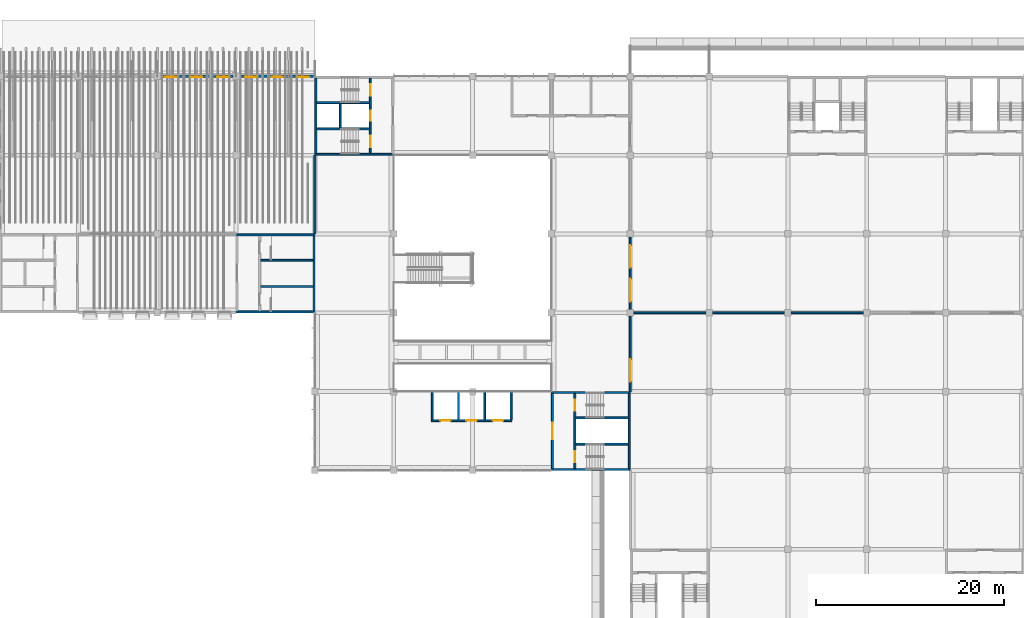
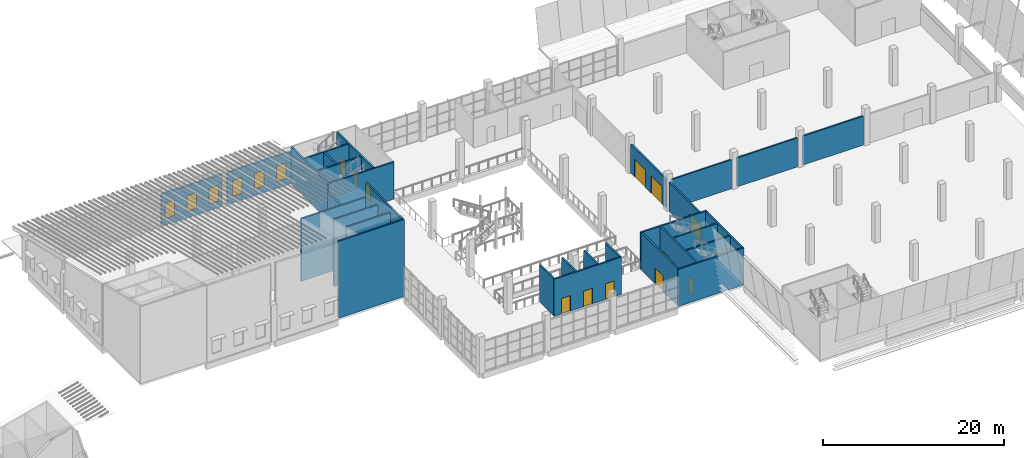
# One storey, part 25 of 82: 31 walls, 12 doors, 6 windows, 18 openings.
"""IFC4 building model written with IfcOpenShell, lengths in metres."""

from ifc_helpers import new_model, si_unit, direction, frame, frame_2d, origin, place, context, subcontext, project, spatial, rectangle, extrude, material, layer, layer_set, type_object, element, fill, save


model = new_model("IFC4")

# Units and contexts
model_context = context("Model", 3, precision=1e-05, world=origin(), true_north=direction((0.0, 1.0)))
body_context = subcontext(model_context, "Body", "Model", "MODEL_VIEW")
ifc_project = project(units=[si_unit("LENGTHUNIT", "METRE"), si_unit("AREAUNIT", "SQUARE_METRE"), si_unit("VOLUMEUNIT", "CUBIC_METRE"), si_unit("PLANEANGLEUNIT", "RADIAN"), si_unit("MASSUNIT", "GRAM", prefix="KILO")], contexts=[model_context])

# Site, building, storey
site_placement = place(None, origin())
site = spatial("IfcSite", under=ifc_project, at=site_placement, CompositionType="ELEMENT")
building_placement = place(site_placement, origin())
building = spatial("IfcBuilding", under=site, at=building_placement, Name="Almond Square Museum", CompositionType="ELEMENT")
storey_placement = place(building_placement, frame((0.0, 0.0, 20.0)))
storey = spatial("IfcBuildingStorey", under=building, at=storey_placement, Name="L03", CompositionType="ELEMENT", Elevation=20.0)

# Wall, openings, doors
ifc_material_1 = material(Name="Concrete blockwork 200", Category="masonry")
ifc_layer_1 = layer(ifc_material_1, 0.199951171875)
ifc_layer_set_1 = layer_set([ifc_layer_1], Name="Concrete blockwork 200")
wall_type_1 = type_object("IfcWallType", Name="Fire partition 200 blockwork", PredefinedType="PARTITIONING", material=ifc_layer_set_1)
wall_1_placement = place(storey_placement, frame((106.800048828125, 84.35009765625, 0.0), z_axis=(0.0, 0.0, 1.0), x_axis=(0.0, 1.0, 0.0)))
wall_1 = element("IfcWall", 1, at=wall_1_placement, inside=storey, type_object=wall_type_1, Name="L03 partition 10", PredefinedType="PARTITIONING", context=body_context, shape_type="SweptSolid", body=[
    extrude(rectangle(XDim=7.699951171875, YDim=0.199951171875, at=frame_2d((3.85009765625, 0.0))), origin(), (0.0, 0.0, 1.0), 3.89990234375),
])
opening_1_placement = place(wall_1_placement, frame((0.85009765625, 0.0, 0.0)))
opening_1 = element("IfcOpeningElement", 2, at=opening_1_placement, cuts=wall_1, Name="Opening D3131", PredefinedType="OPENING", context=body_context, shape_type="SweptSolid", body=[
    extrude(rectangle(XDim=2.39990234375, YDim=2.39990234375, at=frame_2d((1.199951171875, 1.199951171875))), frame((0.0, 0.10986328125, 0.0), z_axis=(0.0, -1.0, 0.0), x_axis=(1.0, 0.0, 0.0)), (0.0, 0.0, 1.0), 0.219970703125),
])
opening_2_placement = place(wall_1_placement, frame((4.449951171875, 0.0, 0.0)))
opening_2 = element("IfcOpeningElement", 3, at=opening_2_placement, cuts=wall_1, Name="Opening D3132", PredefinedType="OPENING", context=body_context, shape_type="SweptSolid", body=[
    extrude(rectangle(XDim=2.39990234375, YDim=2.39990234375, at=frame_2d((1.199951171875, 1.199951171875))), frame((0.0, 0.10986328125, 0.0), z_axis=(0.0, -1.0, 0.0), x_axis=(1.0, 0.0, 0.0)), (0.0, 0.0, 1.0), 0.219970703125),
])
ifc_material_2 = material(Name="Steel", Category="steel")
door_type_1 = type_object("IfcDoorType", Name="Fire door 2400 x 2400 FD60 double", OperationType="NOTDEFINED", PredefinedType="DOOR", material=ifc_material_2)
door_1_placement = place(opening_1_placement, origin())
door_1 = element("IfcDoor", 4, at=door_1_placement, inside=storey, type_object=door_type_1, Name="L03 door Contemporary Gallery to Atrium Rim Lobby 2", OperationType="DOUBLE_DOOR_SINGLE_SWING", OverallHeight=2.39990234375, OverallWidth=2.39990234375, PredefinedType="DOOR", context=body_context, shape_type="SweptSolid", body=[
    extrude(rectangle(XDim=2.39990234375, YDim=2.39990234375, at=frame_2d((1.199951171875, 1.199951171875))), frame((0.0, 0.02490234375, 0.0), z_axis=(0.0, -1.0, 0.0), x_axis=(1.0, 0.0, 0.0)), (0.0, 0.0, 1.0), 0.050048828125),
])
fill(opening_1, door_1)
door_2_placement = place(opening_2_placement, origin())
door_2 = element("IfcDoor", 5, at=door_2_placement, inside=storey, type_object=door_type_1, Name="L03 door Contemporary Gallery to Atrium Rim Lobby 2", OperationType="DOUBLE_DOOR_SINGLE_SWING", OverallHeight=2.39990234375, OverallWidth=2.39990234375, PredefinedType="DOOR", context=body_context, shape_type="SweptSolid", body=[
    extrude(rectangle(XDim=2.39990234375, YDim=2.39990234375, at=frame_2d((1.199951171875, 1.199951171875))), frame((0.0, 0.02490234375, 0.0), z_axis=(0.0, -1.0, 0.0), x_axis=(1.0, 0.0, 0.0)), (0.0, 0.0, 1.0), 0.050048828125),
])
fill(opening_2, door_2)

# Wall, opening, door
wall_2_placement = place(storey_placement, frame((106.800048828125, 75.60009765625, 0.0), z_axis=(0.0, 0.0, 1.0), x_axis=(0.0, 1.0, 0.0)))
wall_2 = element("IfcWall", 6, at=wall_2_placement, inside=storey, type_object=wall_type_1, Name="L03 partition 18", PredefinedType="PARTITIONING", context=body_context, shape_type="SweptSolid", body=[
    extrude(rectangle(XDim=8.0498046875, YDim=0.199951171875, at=frame_2d((4.02490234375, 0.0))), origin(), (0.0, 0.0, 1.0), 3.89990234375),
])
opening_3_placement = place(wall_2_placement, frame((1.02490234375, 0.0, 0.0)))
opening_3 = element("IfcOpeningElement", 7, at=opening_3_placement, cuts=wall_2, Name="Opening D3135", PredefinedType="OPENING", context=body_context, shape_type="SweptSolid", body=[
    extrude(rectangle(XDim=2.39990234375, YDim=2.39990234375, at=frame_2d((1.199951171875, 1.199951171875))), frame((0.0, 0.10986328125, 0.0), z_axis=(0.0, -1.0, 0.0), x_axis=(1.0, 0.0, 0.0)), (0.0, 0.0, 1.0), 0.219970703125),
])
door_3_placement = place(opening_3_placement, origin())
door_3 = element("IfcDoor", 8, at=door_3_placement, inside=storey, type_object=door_type_1, Name="L03 door Atrium Rim Lobby 2 to Design Gallery", OperationType="DOUBLE_DOOR_SINGLE_SWING", OverallHeight=2.39990234375, OverallWidth=2.39990234375, PredefinedType="DOOR", context=body_context, shape_type="SweptSolid", body=[
    extrude(rectangle(XDim=2.39990234375, YDim=2.39990234375, at=frame_2d((1.199951171875, 1.199951171875))), frame((0.0, 0.02490234375, 0.0), z_axis=(0.0, -1.0, 0.0), x_axis=(1.0, 0.0, 0.0)), (0.0, 0.0, 1.0), 0.050048828125),
])
fill(opening_3, door_3)

# Walls
ifc_material_3 = material(Name="Painted gypsum board on steel stud", Category="steel")
ifc_layer_2 = layer(ifc_material_3, 0.199951171875)
ifc_layer_set_2 = layer_set([ifc_layer_2], Name="Painted gypsum board on steel stud")
wall_type_2 = type_object("IfcWallType", Name="Gallery wall 200 painted board on stud", PredefinedType="PARTITIONING", material=ifc_layer_set_2)
wall_3_placement = place(storey_placement, frame((73.199951171875, 92.39990234375, 0.0), z_axis=(0.0, 0.0, 1.0), x_axis=(0.0, 1.0, 0.0)))
element("IfcWall", 9, at=wall_3_placement, inside=storey, type_object=wall_type_2, Name="L03 partition 9", PredefinedType="PARTITIONING", context=body_context, shape_type="SweptSolid", body=[
    extrude(rectangle(XDim=8.400146484375, YDim=0.199951171875, at=frame_2d((4.2001953125, 0.0))), origin(), (0.0, 0.0, 1.0), 3.89990234375),
])
wall_4_placement = place(storey_placement, frame((107.14990234375, 84.0, 0.0), z_axis=(0.0, 0.0, 1.0), x_axis=(1.0, 0.0, 0.0)))
element("IfcWall", 10, at=wall_4_placement, inside=storey, type_object=wall_type_2, Name="L03 partition 13", PredefinedType="PARTITIONING", context=body_context, shape_type="SweptSolid", body=[
    extrude(rectangle(XDim=7.7001953125, YDim=0.199951171875, at=frame_2d((3.85009765625, 0.0))), origin(), (0.0, 0.0, 1.0), 3.89990234375),
])
for number, where, z_axis, x_axis, name in (
    (11, (115.550048828125, 84.0, 0.0), (0.0, 0.0, 1.0), (1.0, 0.0, 0.0), "L03 partition 14"),
    (12, (123.949951171875, 84.0, 0.0), (0.0, 0.0, 1.0), (1.0, 0.0, 0.0), "L03 partition 15"),
):
    element("IfcWall", number, at=place(storey_placement, frame(where, z_axis=z_axis, x_axis=x_axis)), inside=storey, type_object=wall_type_2, Name=name, PredefinedType="PARTITIONING", context=body_context, shape_type="SweptSolid", body=[
        extrude(rectangle(XDim=7.699951171875, YDim=0.199951171875, at=frame_2d((3.85009765625, 0.0))), origin(), (0.0, 0.0, 1.0), 3.89990234375),
    ])

# Wall, openings, windows
ifc_material_4 = material(Name="Precast concrete C40/50", Category="concrete")
ifc_layer_3 = layer(ifc_material_4, 0.25)
ifc_layer_set_3 = layer_set([ifc_layer_3], Name="Precast concrete C40/50")
wall_type_3 = type_object("IfcWallType", Name="Precast concrete panel wall 250 with coral limestone piers", PredefinedType="SOLIDWALL", material=ifc_layer_set_3)
wall_5_placement = place(storey_placement, frame((65.14990234375, 109.199951171875, 0.0), z_axis=(0.0, 0.0, 1.0), x_axis=(1.0, 0.0, 0.0)))
wall_5 = element("IfcWall", 13, at=wall_5_placement, inside=storey, type_object=wall_type_3, Name="External wall W2 V4N L03 N01", PredefinedType="SOLIDWALL", context=body_context, shape_type="SweptSolid", body=[
    extrude(rectangle(XDim=8.050048828125, YDim=0.25, at=frame_2d((4.02490234375, 0.0))), origin(), (0.0, 0.0, 1.0), 4.349365234375),
])
opening_4_placement = place(wall_5_placement, frame((0.625, 0.0, 0.89990234375)))
opening_4 = element("IfcOpeningElement", 14, at=opening_4_placement, cuts=wall_5, Name="Opening W3057", PredefinedType="OPENING", context=body_context, shape_type="SweptSolid", body=[
    extrude(rectangle(XDim=1.199951171875, YDim=2.10009765625, at=frame_2d((0.60009765625, 1.050048828125))), frame((0.0, 0.135009765625, 0.0), z_axis=(0.0, -1.0, 0.0), x_axis=(1.0, 0.0, 0.0)), (0.0, 0.0, 1.0), 0.27001953125),
])
opening_5_placement = place(wall_5_placement, frame((3.425048828125, 0.0, 0.89990234375)))
opening_5 = element("IfcOpeningElement", 15, at=opening_5_placement, cuts=wall_5, Name="Opening W3058", PredefinedType="OPENING", context=body_context, shape_type="SweptSolid", body=[
    extrude(rectangle(XDim=1.199951171875, YDim=2.10009765625, at=frame_2d((0.60009765625, 1.050048828125))), frame((0.0, 0.135009765625, 0.0), z_axis=(0.0, -1.0, 0.0), x_axis=(1.0, 0.0, 0.0)), (0.0, 0.0, 1.0), 0.27001953125),
])
opening_6_placement = place(wall_5_placement, frame((6.22509765625, 0.0, 0.89990234375)))
opening_6 = element("IfcOpeningElement", 16, at=opening_6_placement, cuts=wall_5, Name="Opening W3059", PredefinedType="OPENING", context=body_context, shape_type="SweptSolid", body=[
    extrude(rectangle(XDim=1.199951171875, YDim=2.10009765625, at=frame_2d((0.60009765625, 1.050048828125))), frame((0.0, 0.135009765625, 0.0), z_axis=(0.0, -1.0, 0.0), x_axis=(1.0, 0.0, 0.0)), (0.0, 0.0, 1.0), 0.27001953125),
])
ifc_material_5 = material(Name="Anodised aluminium louvre and laminated glass", Category="aluminium")
window_type = type_object("IfcWindowType", Name="Louvred pier window", PartitioningType="SINGLE_PANEL", PredefinedType="WINDOW", material=ifc_material_5)
window_1_placement = place(opening_4_placement, origin())
window_1 = element("IfcWindow", 17, at=window_1_placement, inside=storey, type_object=window_type, Name="Louvred pier window W3057", OverallHeight=2.10009765625, OverallWidth=1.199951171875, PartitioningType="SINGLE_PANEL", PredefinedType="WINDOW", context=body_context, shape_type="SweptSolid", body=[
    extrude(rectangle(XDim=1.199951171875, YDim=2.10009765625, at=frame_2d((0.60009765625, 1.050048828125))), frame((0.0, -0.044921875, 0.0), z_axis=(0.0, -1.0, 0.0), x_axis=(1.0, 0.0, 0.0)), (0.0, 0.0, 1.0), 0.06005859375),
])
fill(opening_4, window_1)
window_2_placement = place(opening_5_placement, origin())
window_2 = element("IfcWindow", 18, at=window_2_placement, inside=storey, type_object=window_type, Name="Louvred pier window W3058", OverallHeight=2.10009765625, OverallWidth=1.199951171875, PartitioningType="SINGLE_PANEL", PredefinedType="WINDOW", context=body_context, shape_type="SweptSolid", body=[
    extrude(rectangle(XDim=1.199951171875, YDim=2.10009765625, at=frame_2d((0.60009765625, 1.050048828125))), frame((0.0, -0.044921875, 0.0), z_axis=(0.0, -1.0, 0.0), x_axis=(1.0, 0.0, 0.0)), (0.0, 0.0, 1.0), 0.06005859375),
])
fill(opening_5, window_2)
window_3_placement = place(opening_6_placement, origin())
window_3 = element("IfcWindow", 19, at=window_3_placement, inside=storey, type_object=window_type, Name="Louvred pier window W3059", OverallHeight=2.10009765625, OverallWidth=1.199951171875, PartitioningType="SINGLE_PANEL", PredefinedType="WINDOW", context=body_context, shape_type="SweptSolid", body=[
    extrude(rectangle(XDim=1.199951171875, YDim=2.10009765625, at=frame_2d((0.60009765625, 1.050048828125))), frame((0.0, -0.044921875, 0.0), z_axis=(0.0, -1.0, 0.0), x_axis=(1.0, 0.0, 0.0)), (0.0, 0.0, 1.0), 0.06005859375),
])
fill(opening_6, window_3)

wall_6_placement = place(storey_placement, frame((56.75, 109.199951171875, 0.0), z_axis=(0.0, 0.0, 1.0), x_axis=(1.0, 0.0, 0.0)))
wall_6 = element("IfcWall", 20, at=wall_6_placement, inside=storey, type_object=wall_type_3, Name="External wall W2 V4N L03 N02", PredefinedType="SOLIDWALL", context=body_context, shape_type="SweptSolid", body=[
    extrude(rectangle(XDim=7.699951171875, YDim=0.25, at=frame_2d((3.85009765625, 0.0))), origin(), (0.0, 0.0, 1.0), 4.349365234375),
])
opening_7_placement = place(wall_6_placement, frame((0.449951171875, 0.0, 0.89990234375)))
opening_7 = element("IfcOpeningElement", 21, at=opening_7_placement, cuts=wall_6, Name="Opening W3060", PredefinedType="OPENING", context=body_context, shape_type="SweptSolid", body=[
    extrude(rectangle(XDim=1.199951171875, YDim=2.10009765625, at=frame_2d((0.60009765625, 1.050048828125))), frame((0.0, 0.135009765625, 0.0), z_axis=(0.0, -1.0, 0.0), x_axis=(1.0, 0.0, 0.0)), (0.0, 0.0, 1.0), 0.27001953125),
])
opening_8_placement = place(wall_6_placement, frame((3.25, 0.0, 0.89990234375)))
opening_8 = element("IfcOpeningElement", 22, at=opening_8_placement, cuts=wall_6, Name="Opening W3061", PredefinedType="OPENING", context=body_context, shape_type="SweptSolid", body=[
    extrude(rectangle(XDim=1.199951171875, YDim=2.10009765625, at=frame_2d((0.60009765625, 1.050048828125))), frame((0.0, 0.135009765625, 0.0), z_axis=(0.0, -1.0, 0.0), x_axis=(1.0, 0.0, 0.0)), (0.0, 0.0, 1.0), 0.27001953125),
])
opening_9_placement = place(wall_6_placement, frame((6.050048828125, 0.0, 0.89990234375)))
opening_9 = element("IfcOpeningElement", 23, at=opening_9_placement, cuts=wall_6, Name="Opening W3062", PredefinedType="OPENING", context=body_context, shape_type="SweptSolid", body=[
    extrude(rectangle(XDim=1.199951171875, YDim=2.10009765625, at=frame_2d((0.60009765625, 1.050048828125))), frame((0.0, 0.135009765625, 0.0), z_axis=(0.0, -1.0, 0.0), x_axis=(1.0, 0.0, 0.0)), (0.0, 0.0, 1.0), 0.27001953125),
])
window_4_placement = place(opening_7_placement, origin())
window_4 = element("IfcWindow", 24, at=window_4_placement, inside=storey, type_object=window_type, Name="Louvred pier window W3060", OverallHeight=2.10009765625, OverallWidth=1.199951171875, PartitioningType="SINGLE_PANEL", PredefinedType="WINDOW", context=body_context, shape_type="SweptSolid", body=[
    extrude(rectangle(XDim=1.199951171875, YDim=2.10009765625, at=frame_2d((0.60009765625, 1.050048828125))), frame((0.0, -0.044921875, 0.0), z_axis=(0.0, -1.0, 0.0), x_axis=(1.0, 0.0, 0.0)), (0.0, 0.0, 1.0), 0.06005859375),
])
fill(opening_7, window_4)
window_5_placement = place(opening_8_placement, origin())
window_5 = element("IfcWindow", 25, at=window_5_placement, inside=storey, type_object=window_type, Name="Louvred pier window W3061", OverallHeight=2.10009765625, OverallWidth=1.199951171875, PartitioningType="SINGLE_PANEL", PredefinedType="WINDOW", context=body_context, shape_type="SweptSolid", body=[
    extrude(rectangle(XDim=1.199951171875, YDim=2.10009765625, at=frame_2d((0.60009765625, 1.050048828125))), frame((0.0, -0.044921875, 0.0), z_axis=(0.0, -1.0, 0.0), x_axis=(1.0, 0.0, 0.0)), (0.0, 0.0, 1.0), 0.06005859375),
])
fill(opening_8, window_5)
window_6_placement = place(opening_9_placement, origin())
window_6 = element("IfcWindow", 26, at=window_6_placement, inside=storey, type_object=window_type, Name="Louvred pier window W3062", OverallHeight=2.10009765625, OverallWidth=1.199951171875, PartitioningType="SINGLE_PANEL", PredefinedType="WINDOW", context=body_context, shape_type="SweptSolid", body=[
    extrude(rectangle(XDim=1.199951171875, YDim=2.10009765625, at=frame_2d((0.60009765625, 1.050048828125))), frame((0.0, -0.044921875, 0.0), z_axis=(0.0, -1.0, 0.0), x_axis=(1.0, 0.0, 0.0)), (0.0, 0.0, 1.0), 0.06005859375),
])
fill(opening_9, window_6)

# Walls
ifc_material_6 = material(Name="Concrete C40/50", Category="concrete")
ifc_layer_4 = layer(ifc_material_6, 0.199951171875)
ifc_layer_set_4 = layer_set([ifc_layer_4], Name="Concrete C40/50")
wall_type_4 = type_object("IfcWallType", Name="RC shear wall 200 C40/50", PredefinedType="SHEAR", material=ifc_layer_set_4)
wall_7_placement = place(storey_placement, frame((73.199951171875, 100.89990234375, 0.0), z_axis=(0.0, 0.0, 1.0), x_axis=(1.0, 0.0, 0.0)))
element("IfcWall", 27, at=wall_7_placement, inside=storey, type_object=wall_type_4, Name="Core A1 south wall L03", PredefinedType="SHEAR", context=body_context, shape_type="SweptSolid", body=[
    extrude(rectangle(XDim=8.400146484375, YDim=0.199951171875, at=frame_2d((4.2001953125, 0.0))), origin(), (0.0, 0.0, 1.0), 5.0),
])
wall_8_placement = place(storey_placement, frame((73.300048828125, 101.0, 0.0), z_axis=(0.0, 0.0, 1.0), x_axis=(0.0, 1.0, 0.0)))
element("IfcWall", 28, at=wall_8_placement, inside=storey, type_object=wall_type_4, Name="Core A1 west wall L03", PredefinedType="SHEAR", context=body_context, shape_type="SweptSolid", body=[
    extrude(rectangle(XDim=8.0, YDim=0.199951171875, at=frame_2d((4.0, 0.0))), origin(), (0.0, 0.0, 1.0), 5.0),
])

# Wall, openings, doors
wall_9_placement = place(storey_placement, frame((79.10009765625, 101.0, 0.0), z_axis=(0.0, 0.0, 1.0), x_axis=(0.0, 1.0, 0.0)))
wall_9 = element("IfcWall", 29, at=wall_9_placement, inside=storey, type_object=wall_type_4, Name="Core A1 lobby wall L03", PredefinedType="SHEAR", context=body_context, shape_type="SweptSolid", body=[
    extrude(rectangle(XDim=8.0, YDim=0.199951171875, at=frame_2d((4.0, 0.0))), origin(), (0.0, 0.0, 1.0), 5.0),
])
opening_10_placement = place(wall_9_placement, frame((0.64990234375, 0.0, 0.0)))
opening_10 = element("IfcOpeningElement", 30, at=opening_10_placement, cuts=wall_9, Name="Opening D3151", PredefinedType="OPENING", context=body_context, shape_type="SweptSolid", body=[
    extrude(rectangle(XDim=1.199951171875, YDim=2.10009765625, at=frame_2d((0.60009765625, 1.050048828125))), frame((0.0, 0.10986328125, 0.0), z_axis=(0.0, -1.0, 0.0), x_axis=(1.0, 0.0, 0.0)), (0.0, 0.0, 1.0), 0.219970703125),
])
opening_11_placement = place(wall_9_placement, frame((6.14990234375, 0.0, 0.0)))
opening_11 = element("IfcOpeningElement", 31, at=opening_11_placement, cuts=wall_9, Name="Opening D3152", PredefinedType="OPENING", context=body_context, shape_type="SweptSolid", body=[
    extrude(rectangle(XDim=1.199951171875, YDim=2.10009765625, at=frame_2d((0.60009765625, 1.050048828125))), frame((0.0, 0.10986328125, 0.0), z_axis=(0.0, -1.0, 0.0), x_axis=(1.0, 0.0, 0.0)), (0.0, 0.0, 1.0), 0.219970703125),
])
opening_12_placement = place(wall_9_placement, frame((3.449951171875, 0.0, 0.0)))
opening_12 = element("IfcOpeningElement", 32, at=opening_12_placement, cuts=wall_9, Name="Opening D3153", PredefinedType="OPENING", context=body_context, shape_type="SweptSolid", body=[
    extrude(rectangle(XDim=1.10009765625, YDim=2.10009765625, at=frame_2d((0.550048828125, 1.050048828125))), frame((0.0, 0.10986328125, 0.0), z_axis=(0.0, -1.0, 0.0), x_axis=(1.0, 0.0, 0.0)), (0.0, 0.0, 1.0), 0.219970703125),
])
ifc_material_7 = material(Name="Steel", Category="steel")
door_type_2 = type_object("IfcDoorType", Name="Fire door 1200 x 2100 FD120 stair", OperationType="NOTDEFINED", PredefinedType="DOOR", material=ifc_material_7)
door_4_placement = place(opening_10_placement, origin())
door_4 = element("IfcDoor", 33, at=door_4_placement, inside=storey, type_object=door_type_2, Name="L03 stair A1-1 door", OperationType="SINGLE_SWING_LEFT", OverallHeight=2.10009765625, OverallWidth=1.199951171875, PredefinedType="DOOR", context=body_context, shape_type="SweptSolid", body=[
    extrude(rectangle(XDim=1.199951171875, YDim=2.10009765625, at=frame_2d((0.60009765625, 1.050048828125))), frame((0.0, 0.02490234375, 0.0), z_axis=(0.0, -1.0, 0.0), x_axis=(1.0, 0.0, 0.0)), (0.0, 0.0, 1.0), 0.050048828125),
])
fill(opening_10, door_4)
door_5_placement = place(opening_11_placement, origin())
door_5 = element("IfcDoor", 34, at=door_5_placement, inside=storey, type_object=door_type_2, Name="L03 stair A1-2 door", OperationType="SINGLE_SWING_RIGHT", OverallHeight=2.10009765625, OverallWidth=1.199951171875, PredefinedType="DOOR", context=body_context, shape_type="SweptSolid", body=[
    extrude(rectangle(XDim=1.199951171875, YDim=2.10009765625, at=frame_2d((0.60009765625, 1.050048828125))), frame((0.0, 0.02490234375, 0.0), z_axis=(0.0, -1.0, 0.0), x_axis=(1.0, 0.0, 0.0)), (0.0, 0.0, 1.0), 0.050048828125),
])
fill(opening_11, door_5)
ifc_material_8 = material(Name="Stainless steel", Category="steel")
door_type_3 = type_object("IfcDoorType", Name="Lift landing door 1100 x 2100", OperationType="NOTDEFINED", PredefinedType="DOOR", material=ifc_material_8)
door_6_placement = place(opening_12_placement, origin())
door_6 = element("IfcDoor", 35, at=door_6_placement, inside=storey, type_object=door_type_3, Name="L03 lift PL-A1 landing door", OperationType="DOUBLE_DOOR_SLIDING", OverallHeight=2.10009765625, OverallWidth=1.10009765625, PredefinedType="DOOR", context=body_context, shape_type="SweptSolid", body=[
    extrude(rectangle(XDim=1.10009765625, YDim=2.10009765625, at=frame_2d((0.550048828125, 1.050048828125))), frame((0.0, 0.02490234375, 0.0), z_axis=(0.0, -1.0, 0.0), x_axis=(1.0, 0.0, 0.0)), (0.0, 0.0, 1.0), 0.050048828125),
])
fill(opening_12, door_6)

# Walls
for number, where, z_axis, x_axis, name in (
    (36, (73.39990234375, 103.60009765625, 0.0), (0.0, 0.0, 1.0), (1.0, 0.0, 0.0), "Core A1 partition wall L03"),
    (37, (73.39990234375, 106.39990234375, 0.0), (0.0, 0.0, 1.0), (1.0, 0.0, 0.0), "Core A1 partition wall L03"),
):
    element("IfcWall", number, at=place(storey_placement, frame(where, z_axis=z_axis, x_axis=x_axis)), inside=storey, type_object=wall_type_4, Name=name, PredefinedType="SHEAR", context=body_context, shape_type="SweptSolid", body=[
        extrude(rectangle(XDim=5.60009765625, YDim=0.199951171875, at=frame_2d((2.800048828125, 0.0))), origin(), (0.0, 0.0, 1.0), 5.0),
    ])
wall_10_placement = place(storey_placement, frame((75.89990234375, 103.699951171875, 0.0), z_axis=(0.0, 0.0, 1.0), x_axis=(0.0, 1.0, 0.0)))
element("IfcWall", 38, at=wall_10_placement, inside=storey, type_object=wall_type_4, Name="Core A1 partition wall L03", PredefinedType="SHEAR", context=body_context, shape_type="SweptSolid", body=[
    extrude(rectangle(XDim=2.60009765625, YDim=0.199951171875, at=frame_2d((1.300048828125, 0.0))), origin(), (0.0, 0.0, 1.0), 5.0),
])
for number, where, z_axis, x_axis, name in (
    (39, (98.39990234375, 67.300048828125, 0.0), (0.0, 0.0, 1.0), (1.0, 0.0, 0.0), "Core A2 south wall L03"),
    (40, (98.39990234375, 75.5, 0.0), (0.0, 0.0, 1.0), (1.0, 0.0, 0.0), "Core A2 north wall L03"),
):
    element("IfcWall", number, at=place(storey_placement, frame(where, z_axis=z_axis, x_axis=x_axis)), inside=storey, type_object=wall_type_4, Name=name, PredefinedType="SHEAR", context=body_context, shape_type="SweptSolid", body=[
        extrude(rectangle(XDim=8.400146484375, YDim=0.199951171875, at=frame_2d((4.2001953125, 0.0))), origin(), (0.0, 0.0, 1.0), 5.0),
    ])

# Wall, opening, door
wall_11_placement = place(storey_placement, frame((98.5, 67.39990234375, 0.0), z_axis=(0.0, 0.0, 1.0), x_axis=(0.0, 1.0, 0.0)))
wall_11 = element("IfcWall", 41, at=wall_11_placement, inside=storey, type_object=wall_type_4, Name="Core A2 west wall L03", PredefinedType="SHEAR", context=body_context, shape_type="SweptSolid", body=[
    extrude(rectangle(XDim=8.0, YDim=0.199951171875, at=frame_2d((4.0, 0.0))), origin(), (0.0, 0.0, 1.0), 5.0),
])
opening_13_placement = place(wall_11_placement, frame((3.10009765625, 0.0, 0.0)))
opening_13 = element("IfcOpeningElement", 42, at=opening_13_placement, cuts=wall_11, Name="Opening D3154", PredefinedType="OPENING", context=body_context, shape_type="SweptSolid", body=[
    extrude(rectangle(XDim=1.800048828125, YDim=2.10009765625, at=frame_2d((0.89990234375, 1.050048828125))), frame((0.0, 0.10986328125, 0.0), z_axis=(0.0, -1.0, 0.0), x_axis=(1.0, 0.0, 0.0)), (0.0, 0.0, 1.0), 0.219970703125),
])
ifc_material_9 = material(Name="Steel", Category="steel")
door_type_4 = type_object("IfcDoorType", Name="Fire door 1800 x 2100 FD60 double", OperationType="NOTDEFINED", PredefinedType="DOOR", material=ifc_material_9)
door_7_placement = place(opening_13_placement, origin())
door_7 = element("IfcDoor", 43, at=door_7_placement, inside=storey, type_object=door_type_4, Name="L03 stair core A2 lobby door", OperationType="DOUBLE_DOOR_SINGLE_SWING", OverallHeight=2.10009765625, OverallWidth=1.800048828125, PredefinedType="DOOR", context=body_context, shape_type="SweptSolid", body=[
    extrude(rectangle(XDim=1.800048828125, YDim=2.10009765625, at=frame_2d((0.89990234375, 1.050048828125))), frame((0.0, 0.02490234375, 0.0), z_axis=(0.0, -1.0, 0.0), x_axis=(1.0, 0.0, 0.0)), (0.0, 0.0, 1.0), 0.050048828125),
])
fill(opening_13, door_7)

# Wall
wall_12_placement = place(storey_placement, frame((106.699951171875, 67.39990234375, 0.0), z_axis=(0.0, 0.0, 1.0), x_axis=(0.0, 1.0, 0.0)))
element("IfcWall", 44, at=wall_12_placement, inside=storey, type_object=wall_type_4, Name="Core A2 east wall L03", PredefinedType="SHEAR", context=body_context, shape_type="SweptSolid", body=[
    extrude(rectangle(XDim=8.0, YDim=0.199951171875, at=frame_2d((4.0, 0.0))), origin(), (0.0, 0.0, 1.0), 5.0),
])

# Wall, openings, doors
wall_13_placement = place(storey_placement, frame((100.89990234375, 67.39990234375, 0.0), z_axis=(0.0, 0.0, 1.0), x_axis=(0.0, 1.0, 0.0)))
wall_13 = element("IfcWall", 45, at=wall_13_placement, inside=storey, type_object=wall_type_4, Name="Core A2 lobby wall L03", PredefinedType="SHEAR", context=body_context, shape_type="SweptSolid", body=[
    extrude(rectangle(XDim=8.0, YDim=0.199951171875, at=frame_2d((4.0, 0.0))), origin(), (0.0, 0.0, 1.0), 5.0),
])
opening_14_placement = place(wall_13_placement, frame((0.64990234375, 0.0, 0.0)))
opening_14 = element("IfcOpeningElement", 46, at=opening_14_placement, cuts=wall_13, Name="Opening D3155", PredefinedType="OPENING", context=body_context, shape_type="SweptSolid", body=[
    extrude(rectangle(XDim=1.199951171875, YDim=2.10009765625, at=frame_2d((0.60009765625, 1.050048828125))), frame((0.0, 0.10986328125, 0.0), z_axis=(0.0, -1.0, 0.0), x_axis=(1.0, 0.0, 0.0)), (0.0, 0.0, 1.0), 0.219970703125),
])
opening_15_placement = place(wall_13_placement, frame((6.14990234375, 0.0, 0.0)))
opening_15 = element("IfcOpeningElement", 47, at=opening_15_placement, cuts=wall_13, Name="Opening D3156", PredefinedType="OPENING", context=body_context, shape_type="SweptSolid", body=[
    extrude(rectangle(XDim=1.199951171875, YDim=2.10009765625, at=frame_2d((0.60009765625, 1.050048828125))), frame((0.0, 0.10986328125, 0.0), z_axis=(0.0, -1.0, 0.0), x_axis=(1.0, 0.0, 0.0)), (0.0, 0.0, 1.0), 0.219970703125),
])
door_8_placement = place(opening_14_placement, origin())
door_8 = element("IfcDoor", 48, at=door_8_placement, inside=storey, type_object=door_type_2, Name="L03 stair A2-1 door", OperationType="SINGLE_SWING_LEFT", OverallHeight=2.10009765625, OverallWidth=1.199951171875, PredefinedType="DOOR", context=body_context, shape_type="SweptSolid", body=[
    extrude(rectangle(XDim=1.199951171875, YDim=2.10009765625, at=frame_2d((0.60009765625, 1.050048828125))), frame((0.0, 0.02490234375, 0.0), z_axis=(0.0, -1.0, 0.0), x_axis=(1.0, 0.0, 0.0)), (0.0, 0.0, 1.0), 0.050048828125),
])
fill(opening_14, door_8)
door_9_placement = place(opening_15_placement, origin())
door_9 = element("IfcDoor", 49, at=door_9_placement, inside=storey, type_object=door_type_2, Name="L03 stair A2-2 door", OperationType="SINGLE_SWING_RIGHT", OverallHeight=2.10009765625, OverallWidth=1.199951171875, PredefinedType="DOOR", context=body_context, shape_type="SweptSolid", body=[
    extrude(rectangle(XDim=1.199951171875, YDim=2.10009765625, at=frame_2d((0.60009765625, 1.050048828125))), frame((0.0, 0.02490234375, 0.0), z_axis=(0.0, -1.0, 0.0), x_axis=(1.0, 0.0, 0.0)), (0.0, 0.0, 1.0), 0.050048828125),
])
fill(opening_15, door_9)

# Walls
for number, where, z_axis, x_axis, name in (
    (50, (101.0, 70.0, 0.0), (0.0, 0.0, 1.0), (1.0, 0.0, 0.0), "Core A2 partition wall L03"),
    (51, (101.0, 72.800048828125, 0.0), (0.0, 0.0, 1.0), (1.0, 0.0, 0.0), "Core A2 partition wall L03"),
):
    element("IfcWall", number, at=place(storey_placement, frame(where, z_axis=z_axis, x_axis=x_axis)), inside=storey, type_object=wall_type_4, Name=name, PredefinedType="SHEAR", context=body_context, shape_type="SweptSolid", body=[
        extrude(rectangle(XDim=5.60009765625, YDim=0.199951171875, at=frame_2d((2.800048828125, 0.0))), origin(), (0.0, 0.0, 1.0), 5.0),
    ])
wall_14_placement = place(storey_placement, frame((64.800048828125, 84.10009765625, 0.0), z_axis=(0.0, 0.0, 1.0), x_axis=(1.0, 0.0, 0.0)))
element("IfcWall", 52, at=wall_14_placement, inside=storey, type_object=wall_type_4, Name="Core N2 south wall L03", PredefinedType="SHEAR", context=body_context, shape_type="SweptSolid", body=[
    extrude(rectangle(XDim=8.39990234375, YDim=0.199951171875, at=frame_2d((4.199951171875, 0.0))), origin(), (0.0, 0.0, 1.0), 10.375),
])
wall_15_placement = place(storey_placement, frame((64.800048828125, 92.300048828125, 0.0), z_axis=(0.0, 0.0, 1.0), x_axis=(1.0, 0.0, 0.0)))
element("IfcWall", 53, at=wall_15_placement, inside=storey, type_object=wall_type_4, Name="Core N2 north wall L03", PredefinedType="SHEAR", context=body_context, shape_type="SweptSolid", body=[
    extrude(rectangle(XDim=8.39990234375, YDim=0.199951171875, at=frame_2d((4.199951171875, 0.0))), origin(), (0.0, 0.0, 1.0), 8.425048828125),
])
wall_16_placement = place(storey_placement, frame((73.10009765625, 84.199951171875, 0.0), z_axis=(0.0, 0.0, 1.0), x_axis=(0.0, 1.0, 0.0)))
element("IfcWall", 54, at=wall_16_placement, inside=storey, type_object=wall_type_4, Name="Core N2 east wall L03", PredefinedType="SHEAR", context=body_context, shape_type="SweptSolid", body=[
    extrude(rectangle(XDim=8.0, YDim=0.199951171875, at=frame_2d((4.0, 0.0))), origin(), (0.0, 0.0, 1.0), 10.39990234375),
])
wall_17_placement = place(storey_placement, frame((67.39990234375, 86.800048828125, 0.0), z_axis=(0.0, 0.0, 1.0), x_axis=(1.0, 0.0, 0.0)))
element("IfcWall", 55, at=wall_17_placement, inside=storey, type_object=wall_type_4, Name="Core N2 partition wall L03", PredefinedType="SHEAR", context=body_context, shape_type="SweptSolid", body=[
    extrude(rectangle(XDim=5.60009765625, YDim=0.199951171875, at=frame_2d((2.800048828125, 0.0))), origin(), (0.0, 0.0, 1.0), 9.732421875),
])
wall_18_placement = place(storey_placement, frame((67.39990234375, 89.60009765625, 0.0), z_axis=(0.0, 0.0, 1.0), x_axis=(1.0, 0.0, 0.0)))
element("IfcWall", 56, at=wall_18_placement, inside=storey, type_object=wall_type_4, Name="Core N2 partition wall L03", PredefinedType="SHEAR", context=body_context, shape_type="SweptSolid", body=[
    extrude(rectangle(XDim=5.60009765625, YDim=0.199951171875, at=frame_2d((2.800048828125, 0.0))), origin(), (0.0, 0.0, 1.0), 9.0673828125),
])

# Wall, openings, doors
wall_19_placement = place(storey_placement, frame((85.60009765625, 72.5, 0.0), z_axis=(0.0, 0.0, 1.0), x_axis=(1.0, 0.0, 0.0)))
wall_19 = element("IfcWall", 57, at=wall_19_placement, inside=storey, type_object=wall_type_4, Name="Atrium lift shaft south wall L03", PredefinedType="SHEAR", context=body_context, shape_type="SweptSolid", body=[
    extrude(rectangle(XDim=8.599853515625, YDim=0.199951171875, at=frame_2d((4.2998046875, 0.0))), origin(), (0.0, 0.0, 1.0), 5.0),
])
opening_16_placement = place(wall_19_placement, frame((0.949951171875, 0.0, 0.0)))
opening_16 = element("IfcOpeningElement", 58, at=opening_16_placement, cuts=wall_19, Name="Opening D3185", PredefinedType="OPENING", context=body_context, shape_type="SweptSolid", body=[
    extrude(rectangle(XDim=1.10009765625, YDim=2.10009765625, at=frame_2d((0.550048828125, 1.050048828125))), frame((0.0, 0.10986328125, 0.0), z_axis=(0.0, -1.0, 0.0), x_axis=(1.0, 0.0, 0.0)), (0.0, 0.0, 1.0), 0.219970703125),
])
opening_17_placement = place(wall_19_placement, frame((3.75, 0.0, 0.0)))
opening_17 = element("IfcOpeningElement", 59, at=opening_17_placement, cuts=wall_19, Name="Opening D3186", PredefinedType="OPENING", context=body_context, shape_type="SweptSolid", body=[
    extrude(rectangle(XDim=1.10009765625, YDim=2.10009765625, at=frame_2d((0.550048828125, 1.050048828125))), frame((0.0, 0.10986328125, 0.0), z_axis=(0.0, -1.0, 0.0), x_axis=(1.0, 0.0, 0.0)), (0.0, 0.0, 1.0), 0.219970703125),
])
opening_18_placement = place(wall_19_placement, frame((6.550048828125, 0.0, 0.0)))
opening_18 = element("IfcOpeningElement", 60, at=opening_18_placement, cuts=wall_19, Name="Opening D3187", PredefinedType="OPENING", context=body_context, shape_type="SweptSolid", body=[
    extrude(rectangle(XDim=1.10009765625, YDim=2.10009765625, at=frame_2d((0.550048828125, 1.050048828125))), frame((0.0, 0.10986328125, 0.0), z_axis=(0.0, -1.0, 0.0), x_axis=(1.0, 0.0, 0.0)), (0.0, 0.0, 1.0), 0.219970703125),
])
door_10_placement = place(opening_16_placement, origin())
door_10 = element("IfcDoor", 61, at=door_10_placement, inside=storey, type_object=door_type_3, Name="L03 atrium lift AL1 landing door", OperationType="DOUBLE_DOOR_SLIDING", OverallHeight=2.10009765625, OverallWidth=1.10009765625, PredefinedType="DOOR", context=body_context, shape_type="SweptSolid", body=[
    extrude(rectangle(XDim=1.10009765625, YDim=2.10009765625, at=frame_2d((0.550048828125, 1.050048828125))), frame((0.0, 0.02490234375, 0.0), z_axis=(0.0, -1.0, 0.0), x_axis=(1.0, 0.0, 0.0)), (0.0, 0.0, 1.0), 0.050048828125),
])
fill(opening_16, door_10)
door_11_placement = place(opening_17_placement, origin())
door_11 = element("IfcDoor", 62, at=door_11_placement, inside=storey, type_object=door_type_3, Name="L03 atrium lift AL2 landing door", OperationType="DOUBLE_DOOR_SLIDING", OverallHeight=2.10009765625, OverallWidth=1.10009765625, PredefinedType="DOOR", context=body_context, shape_type="SweptSolid", body=[
    extrude(rectangle(XDim=1.10009765625, YDim=2.10009765625, at=frame_2d((0.550048828125, 1.050048828125))), frame((0.0, 0.02490234375, 0.0), z_axis=(0.0, -1.0, 0.0), x_axis=(1.0, 0.0, 0.0)), (0.0, 0.0, 1.0), 0.050048828125),
])
fill(opening_17, door_11)
door_12_placement = place(opening_18_placement, origin())
door_12 = element("IfcDoor", 63, at=door_12_placement, inside=storey, type_object=door_type_3, Name="L03 atrium lift AL3 landing door", OperationType="DOUBLE_DOOR_SLIDING", OverallHeight=2.10009765625, OverallWidth=1.10009765625, PredefinedType="DOOR", context=body_context, shape_type="SweptSolid", body=[
    extrude(rectangle(XDim=1.10009765625, YDim=2.10009765625, at=frame_2d((0.550048828125, 1.050048828125))), frame((0.0, 0.02490234375, 0.0), z_axis=(0.0, -1.0, 0.0), x_axis=(1.0, 0.0, 0.0)), (0.0, 0.0, 1.0), 0.050048828125),
])
fill(opening_18, door_12)

# Walls
for number, where, z_axis, x_axis, name in (
    (64, (85.699951171875, 72.60009765625, 0.0), (0.0, 0.0, 1.0), (0.0, 1.0, 0.0), "Atrium lift shaft west wall L03"),
    (65, (94.10009765625, 72.60009765625, 0.0), (0.0, 0.0, 1.0), (0.0, 1.0, 0.0), "Atrium lift shaft east wall L03"),
    (66, (88.5, 72.60009765625, 0.0), (0.0, 0.0, 1.0), (0.0, 1.0, 0.0), "Atrium lift shaft partition wall L03"),
    (67, (91.300048828125, 72.60009765625, 0.0), (0.0, 0.0, 1.0), (0.0, 1.0, 0.0), "Atrium lift shaft partition wall L03"),
):
    element("IfcWall", number, at=place(storey_placement, frame(where, z_axis=z_axis, x_axis=x_axis)), inside=storey, type_object=wall_type_4, Name=name, PredefinedType="SHEAR", context=body_context, shape_type="SweptSolid", body=[
        extrude(rectangle(XDim=3.0, YDim=0.199951171875, at=frame_2d((1.5, 0.0))), origin(), (0.0, 0.0, 1.0), 5.0),
    ])

save(model, "model.ifc")
